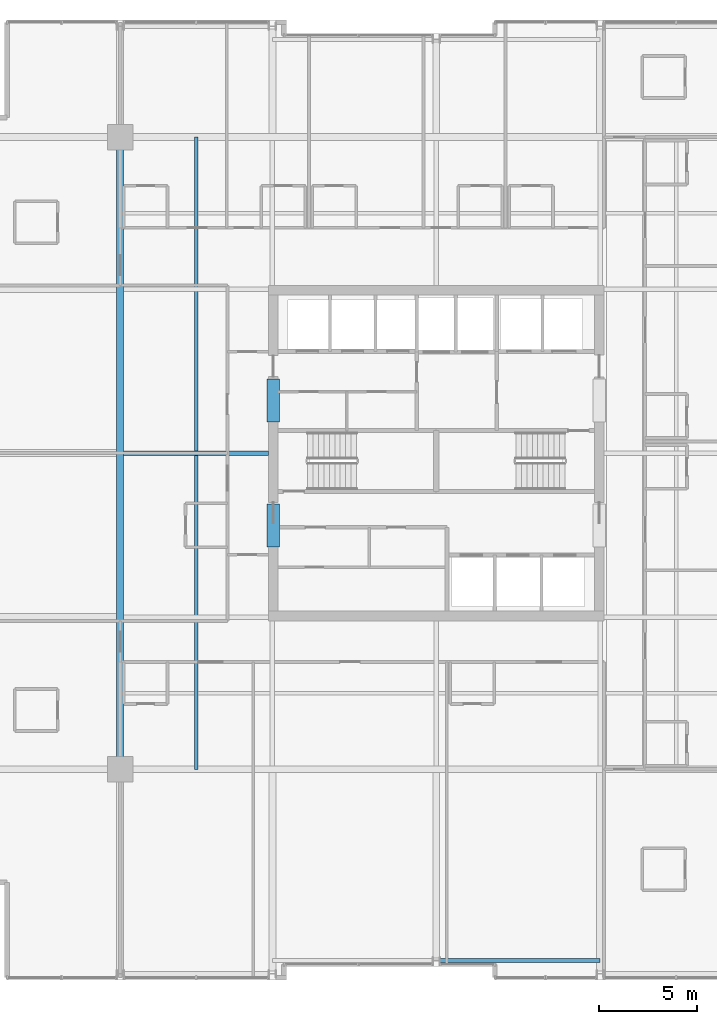
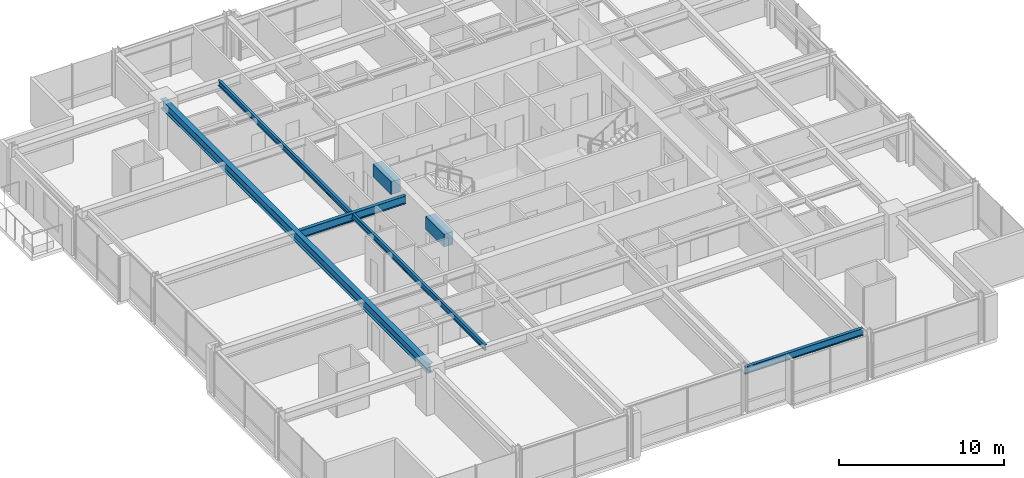
# One storey, part 10 of 31: 6 beams.
"""IFC4 building model written with IfcOpenShell, lengths in metres."""

from ifc_helpers import new_model, si_unit, direction, frame, origin, origin_2d, place, context, subcontext, project, spatial, rectangle, i_section, extrude, material, material_profile, profile_set, type_object, element, save


model = new_model("IFC4")

# Units and contexts
model_context = context("Model", 3, precision=1e-05, world=origin(), true_north=direction((0.0, 1.0)))
body_context = subcontext(model_context, "Body", "Model", "MODEL_VIEW")
ifc_project = project(units=[si_unit("LENGTHUNIT", "METRE"), si_unit("AREAUNIT", "SQUARE_METRE"), si_unit("VOLUMEUNIT", "CUBIC_METRE"), si_unit("PLANEANGLEUNIT", "RADIAN"), si_unit("MASSUNIT", "GRAM", prefix="KILO")], contexts=[model_context])

# Site, building, storey
site_placement = place(None, origin())
site = spatial("IfcSite", under=ifc_project, at=site_placement, CompositionType="ELEMENT")
building_placement = place(site_placement, origin())
building = spatial("IfcBuilding", under=site, at=building_placement, Name="Drelvath Grand Hotel", CompositionType="ELEMENT")
storey_placement = place(building_placement, frame((0.0, 0.0, 185.89990234375)))
storey = spatial("IfcBuildingStorey", under=building, at=storey_placement, Name="L48", CompositionType="ELEMENT", Elevation=185.89990234375)

# Beams
ifc_material_1 = material(Name="Steel ASTM A992 Gr 50", Category="steel")
ifc_material_profile_1 = material_profile(ifc_material_1, i_section(OverallWidth=0.177734375, OverallDepth=0.40673828125, WebThickness=0.0078125, FlangeThickness=0.0126953125, FilletRadius=0.014892578125, at=origin_2d()), Name="W16X40")
ifc_profile_set_1 = profile_set([ifc_material_profile_1], Name="Steel ASTM A992 Gr 50")
beam_type_1 = type_object("IfcBeamType", Name="Composite Floor Joist W16X40", PredefinedType="JOIST", material=ifc_profile_set_1)
beam_1_placement = place(storey_placement, frame((-12.300048828125, 10.800048828125, 3.086669921875), z_axis=(0.0, 1.0, 0.0), x_axis=(-1.0, 0.0, 0.0)))
element("IfcBeam", 1, at=beam_1_placement, inside=storey, type_object=beam_type_1, Name="L48 Wing Floor Joist J3", PredefinedType="JOIST", context=body_context, shape_type="SweptSolid", body=[
    extrude(i_section(OverallWidth=0.177734375, OverallDepth=0.40673828125, WebThickness=0.0078125, FlangeThickness=0.0126953125, FilletRadius=0.014892578125, at=origin_2d()), origin(), (0.0, 0.0, 1.0), 32.39990234375),
])
ifc_material_2 = material(Name="Concrete f'c 55 MPa", Category="concrete")
ifc_material_profile_2 = material_profile(ifc_material_2, rectangle(XDim=0.64990234375, YDim=0.949951171875, at=origin_2d()), Name="CB650X950")
ifc_profile_set_2 = profile_set([ifc_material_profile_2], Name="Concrete f'c 55 MPa")
beam_type_2 = type_object("IfcBeamType", Name="Core Coupling Lintel CB650X950", PredefinedType="LINTEL", material=ifc_profile_set_2)
for number, where, z_axis, x_axis, name in (
    (2, (-8.35009765625, 22.199951171875, 2.815185546875), (0.0, 1.0, 0.0), (-1.0, 0.0, 0.0), "L48 Core Coupling Lintel WS"),
    (3, (-8.35009765625, 28.60009765625, 2.815185546875), (0.0, 1.0, 0.0), (-1.0, 0.0, 0.0), "L48 Core Coupling Lintel WN"),
):
    element("IfcBeam", number, at=place(storey_placement, frame(where, z_axis=z_axis, x_axis=x_axis)), inside=storey, type_object=beam_type_2, Name=name, PredefinedType="LINTEL", context=body_context, shape_type="SweptSolid", body=[
        extrude(rectangle(XDim=0.64990234375, YDim=0.949951171875, at=origin_2d()), origin(), (0.0, 0.0, 1.0), 2.199951171875),
    ])
ifc_material_profile_3 = material_profile(ifc_material_1, i_section(OverallWidth=0.210205078125, OverallDepth=0.53662109375, WebThickness=0.010986328125, FlangeThickness=0.017333984375, FilletRadius=0.01806640625, at=origin_2d()), Name="W21X68")
ifc_profile_set_3 = profile_set([ifc_material_profile_3], Name="Steel ASTM A992 Gr 50")
beam_type_3 = type_object("IfcBeamType", Name="Perimeter Spandrel Beam W21X68", PredefinedType="SPANDREL", material=ifc_profile_set_3)
beam_2_placement = place(storey_placement, frame((0.139892578125, 1.0, 3.021728515625), z_axis=(1.0, 0.0, 0.0), x_axis=(0.0, 1.0, 0.0)))
element("IfcBeam", 4, at=beam_2_placement, inside=storey, type_object=beam_type_3, Name="L48 Spandrel South Mid E", PredefinedType="SPANDREL", context=body_context, shape_type="SweptSolid", body=[
    extrude(i_section(OverallWidth=0.210205078125, OverallDepth=0.53662109375, WebThickness=0.010986328125, FlangeThickness=0.017333984375, FilletRadius=0.01806640625, at=origin_2d()), origin(), (0.0, 0.0, 1.0), 8.260009765625),
])
ifc_material_profile_4 = material_profile(ifc_material_1, i_section(OverallWidth=0.228271484375, OverallDepth=0.607666015625, WebThickness=0.01123046875, FlangeThickness=0.017333984375, FilletRadius=0.02001953125, at=origin_2d()), Name="W24X76")
ifc_profile_set_4 = profile_set([ifc_material_profile_4], Name="Steel ASTM A992 Gr 50")
beam_type_4 = type_object("IfcBeamType", Name="Primary Floor Girder W24X76", PredefinedType="BEAM", material=ifc_profile_set_4)
beam_3_placement = place(storey_placement, frame((-16.022705078125, 27.0, 2.986328125), z_axis=(1.0, 0.0, 0.0), x_axis=(0.0, 1.0, 0.0)))
element("IfcBeam", 5, at=beam_3_placement, inside=storey, type_object=beam_type_4, Name="L48 West Core Tie E", PredefinedType="BEAM", context=body_context, shape_type="SweptSolid", body=[
    extrude(i_section(OverallWidth=0.228271484375, OverallDepth=0.607666015625, WebThickness=0.01123046875, FlangeThickness=0.017333984375, FilletRadius=0.02001953125, at=origin_2d()), origin(), (0.0, 0.0, 1.0), 7.422607421875),
])
ifc_material_profile_5 = material_profile(ifc_material_1, i_section(OverallWidth=0.354736328125, OverallDepth=0.695556640625, WebThickness=0.015380859375, FlangeThickness=0.025146484375, FilletRadius=0.02392578125, at=origin_2d()), Name="W27X146")
ifc_profile_set_5 = profile_set([ifc_material_profile_5], Name="Steel ASTM A992 Gr 50")
beam_type_5 = type_object("IfcBeamType", Name="Primary Floor Girder W27X146", PredefinedType="BEAM", material=ifc_profile_set_5)
beam_4_placement = place(storey_placement, frame((-16.199951171875, 10.800048828125, 2.9423828125), z_axis=(0.0, 1.0, 0.0), x_axis=(-1.0, 0.0, 0.0)))
element("IfcBeam", 6, at=beam_4_placement, inside=storey, type_object=beam_type_5, Name="L48 Mega Ring Girder West", PredefinedType="BEAM", context=body_context, shape_type="SweptSolid", body=[
    extrude(i_section(OverallWidth=0.354736328125, OverallDepth=0.695556640625, WebThickness=0.015380859375, FlangeThickness=0.025146484375, FilletRadius=0.02392578125, at=origin_2d()), origin(), (0.0, 0.0, 1.0), 32.39990234375),
])

save(model, "model.ifc")
